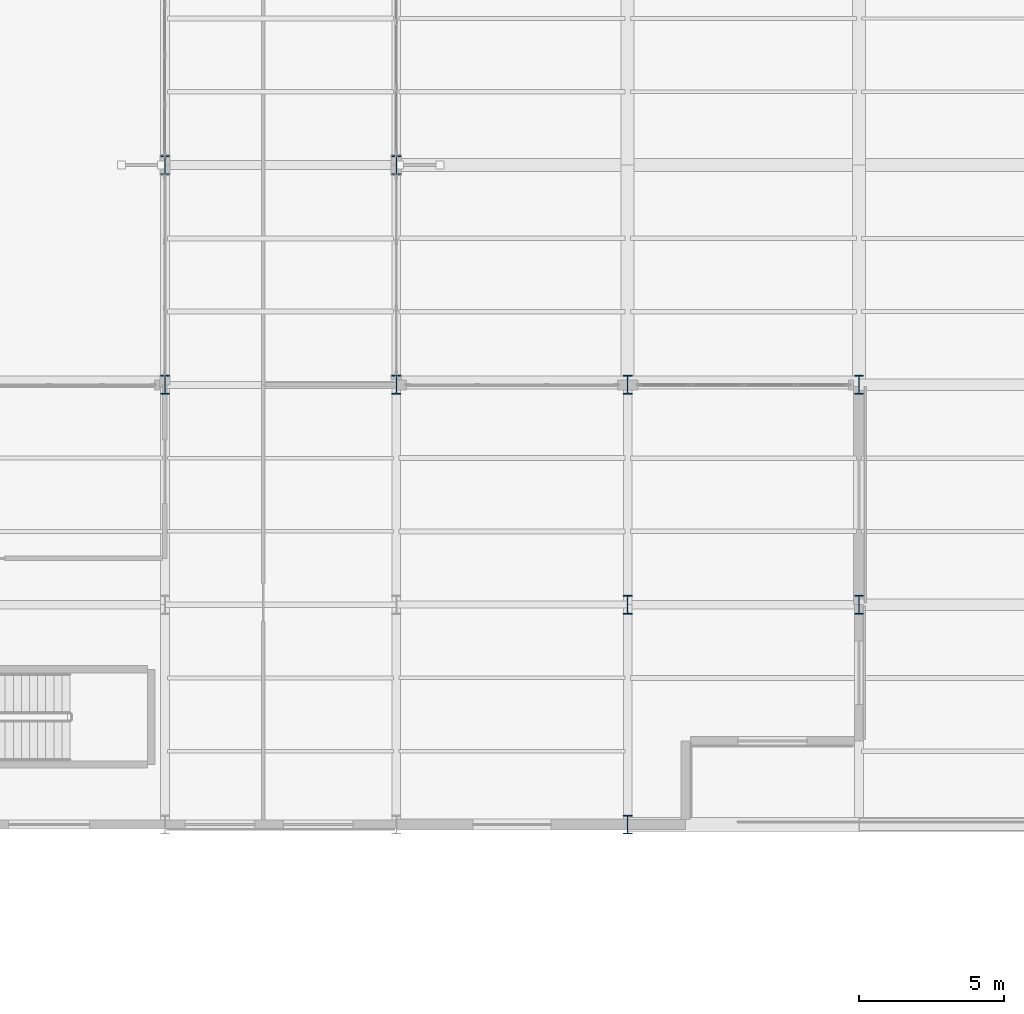
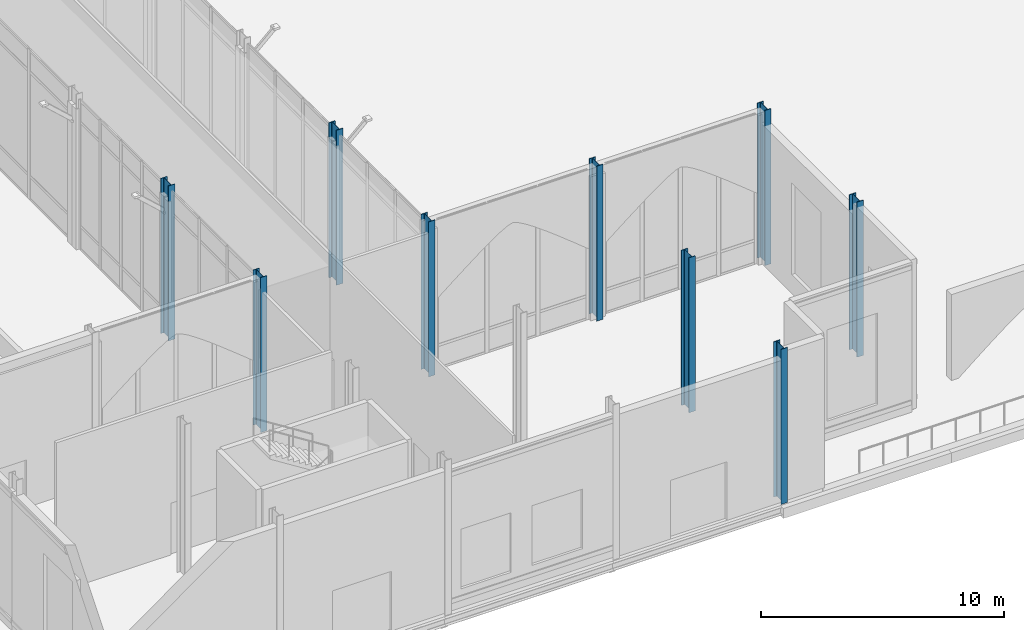
# One storey, part 6 of 176: 9 columns.
"""IFC4 building model written with IfcOpenShell, lengths in metres."""

from ifc_helpers import new_model, si_unit, direction, frame, origin, origin_2d, place, context, subcontext, project, spatial, i_section, extrude, material, material_profile, profile_set, type_object, element, save


model = new_model("IFC4")

# Units and contexts
model_context = context("Model", 3, precision=1e-05, world=origin(), true_north=direction((0.0, 1.0)))
body_context = subcontext(model_context, "Body", "Model", "MODEL_VIEW")
ifc_project = project(units=[si_unit("LENGTHUNIT", "METRE"), si_unit("AREAUNIT", "SQUARE_METRE"), si_unit("VOLUMEUNIT", "CUBIC_METRE"), si_unit("PLANEANGLEUNIT", "RADIAN"), si_unit("MASSUNIT", "GRAM", prefix="KILO")], contexts=[model_context])

# Site, building, storey
site_placement = place(None, origin())
site = spatial("IfcSite", under=ifc_project, at=site_placement, CompositionType="ELEMENT")
building_placement = place(site_placement, origin())
building = spatial("IfcBuilding", under=site, at=building_placement, Name="Vekula Escarpment Museum", CompositionType="ELEMENT")
storey_placement = place(building_placement, origin())
storey = spatial("IfcBuildingStorey", under=building, at=storey_placement, Name="L01", CompositionType="ELEMENT", Elevation=0.0)

# Columns
ifc_material = material(Name="Steel S355", Category="steel")
ifc_material_profile = material_profile(ifc_material, i_section(OverallWidth=0.300048828125, OverallDepth=0.64990234375, WebThickness=0.01611328125, FlangeThickness=0.031005859375, FilletRadius=0.027099609375, at=origin_2d()), Name="HEB 650")
ifc_profile_set = profile_set([ifc_material_profile], Name="Steel S355")
column_type = type_object("IfcColumnType", Name="COL-S-HEB650", PredefinedType="COLUMN", material=ifc_profile_set)
for number, where, z_axis, x_axis, name in (
    (1, (94.0, 15.199951171875, 0.0), (0.0, 0.0, 1.0), (1.0, 0.0, 0.0), "Column L01 (94.0,15.2)"),
    (2, (94.0, 22.800048828125, 0.0), (0.0, 0.0, 1.0), (1.0, 0.0, 0.0), "Column L01 (94.0,22.8)"),
    (3, (102.0, 15.199951171875, 0.0), (0.0, 0.0, 1.0), (1.0, 0.0, 0.0), "Column L01 (102.0,15.2)"),
    (4, (102.0, 22.800048828125, 0.0), (0.0, 0.0, 1.0), (1.0, 0.0, 0.0), "Column L01 (102.0,22.8)"),
    (5, (110.0, 0.0, 0.0), (0.0, 0.0, 1.0), (1.0, 0.0, 0.0), "Column L01 (110.0,0.0)"),
    (6, (110.0, 7.60009765625, 0.0), (0.0, 0.0, 1.0), (1.0, 0.0, 0.0), "Column L01 (110.0,7.6)"),
    (7, (110.0, 15.199951171875, 0.0), (0.0, 0.0, 1.0), (1.0, 0.0, 0.0), "Column L01 (110.0,15.2)"),
    (8, (118.0, 7.60009765625, 0.0), (0.0, 0.0, 1.0), (1.0, 0.0, 0.0), "Column L01 (118.0,7.6)"),
    (9, (118.0, 15.199951171875, 0.0), (0.0, 0.0, 1.0), (1.0, 0.0, 0.0), "Column L01 (118.0,15.2)"),
):
    element("IfcColumn", number, at=place(storey_placement, frame(where, z_axis=z_axis, x_axis=x_axis)), inside=storey, type_object=column_type, Name=name, PredefinedType="COLUMN", context=body_context, shape_type="SweptSolid", body=[
        extrude(i_section(OverallWidth=0.300048828125, OverallDepth=0.64990234375, WebThickness=0.01611328125, FlangeThickness=0.031005859375, FilletRadius=0.027099609375, at=origin_2d()), origin(), (0.0, 0.0, 1.0), 7.800048828125),
    ])

save(model, "model.ifc")
